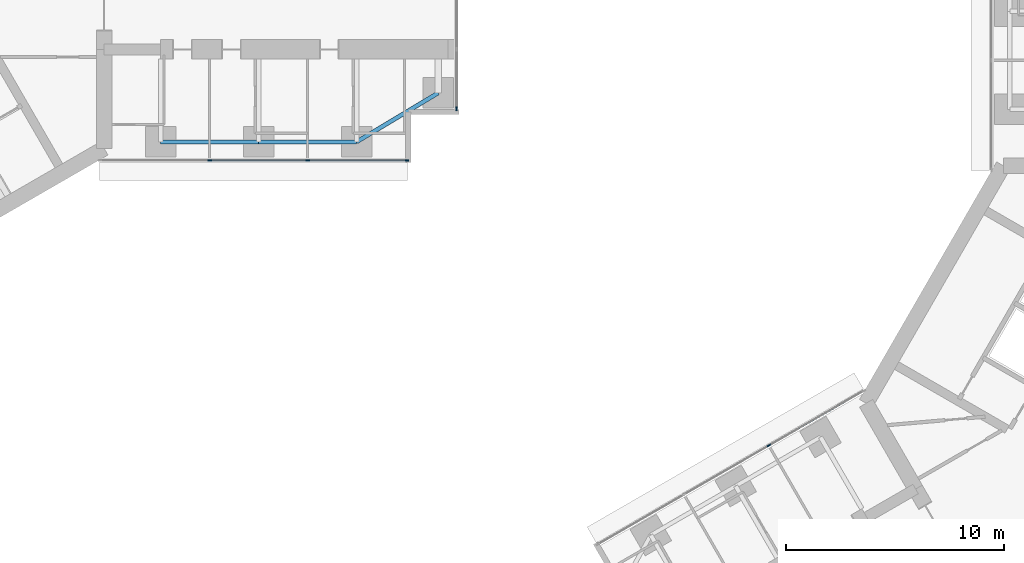
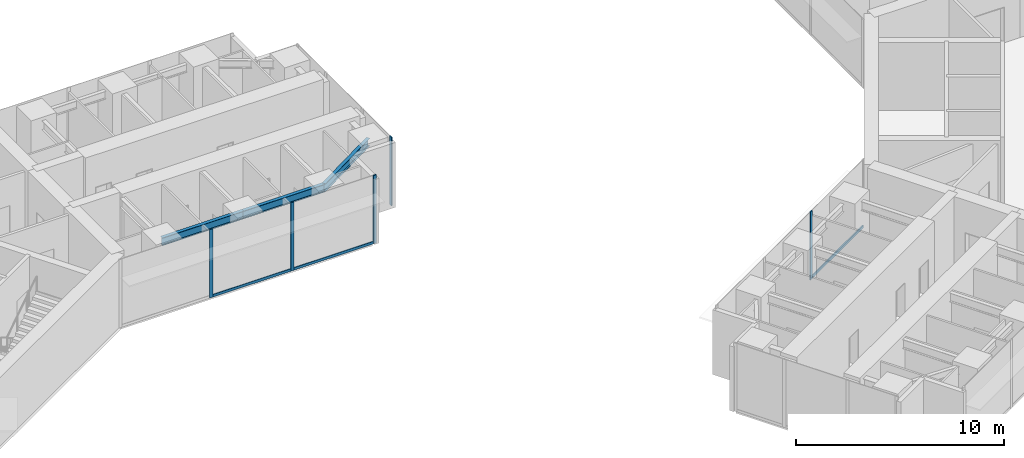
# One storey, part 5 of 25: 8 members, 3 beams, 3 elements without a shape of their own.
"""IFC4 building model written with IfcOpenShell, lengths in metres."""

from ifc_helpers import new_model, si_unit, direction, frame, origin, origin_2d, place, context, subcontext, project, spatial, rectangle, i_section, extrude, material, material_profile, profile_set, type_object, element, aggregate, save


model = new_model("IFC4")

# Units and contexts
model_context = context("Model", 3, precision=1e-05, world=origin(), true_north=direction((0.0, 1.0)))
body_context = subcontext(model_context, "Body", "Model", "MODEL_VIEW")
ifc_project = project(units=[si_unit("LENGTHUNIT", "METRE"), si_unit("AREAUNIT", "SQUARE_METRE"), si_unit("VOLUMEUNIT", "CUBIC_METRE"), si_unit("PLANEANGLEUNIT", "RADIAN"), si_unit("MASSUNIT", "GRAM", prefix="KILO")], contexts=[model_context])

# Site, building, storey
site_placement = place(None, origin())
site = spatial("IfcSite", under=ifc_project, at=site_placement, CompositionType="ELEMENT")
building_placement = place(site_placement, origin())
building = spatial("IfcBuilding", under=site, at=building_placement, Name="Upepo Twin Towers", CompositionType="ELEMENT")
storey_placement = place(building_placement, frame((0.0, 0.0, 84.5)))
storey = spatial("IfcBuildingStorey", under=building, at=storey_placement, Name="L20", CompositionType="ELEMENT", Elevation=84.5)

# Beams
ifc_material_1 = material(Name="Steel S355", Category="steel")
ifc_material_profile_1 = material_profile(ifc_material_1, i_section(OverallWidth=0.1904296875, OverallDepth=0.45703125, WebThickness=0.009033203125, FlangeThickness=0.014404296875, FilletRadius=0.01025390625, at=origin_2d()), Name="UB 457x191x74")
ifc_profile_set_1 = profile_set([ifc_material_profile_1], Name="Steel S355")
beam_type = type_object("IfcBeamType", Name="Beam UB 457x191x74", PredefinedType="BEAM", material=ifc_profile_set_1)
for number, where, z_axis, x_axis, name in (
    (1, (13.5, -6.0, 3.571533203125), (1.0, 0.0, 0.0), (0.0, 1.0, 0.0), "T1 edge beam AR 13.5-18.0"),
    (2, (18.0, -6.0, 3.571533203125), (1.0, 0.0, 0.0), (0.0, 1.0, 0.0), "T1 edge beam AR 18.0-22.5"),
):
    element("IfcBeam", number, at=place(storey_placement, frame(where, z_axis=z_axis, x_axis=x_axis)), inside=storey, type_object=beam_type, Name=name, PredefinedType="BEAM", context=body_context, shape_type="SweptSolid", body=[
        extrude(i_section(OverallWidth=0.1904296875, OverallDepth=0.45703125, WebThickness=0.009033203125, FlangeThickness=0.014404296875, FilletRadius=0.01025390625, at=origin_2d()), origin(), (0.0, 0.0, 1.0), 4.5),
    ])
beam_placement = place(storey_placement, frame((22.5, -6.0, 3.571533203125), z_axis=(0.857492925713, 0.514495755428, 0.0), x_axis=(-0.514495755428, 0.857492925713, 0.0)))
element("IfcBeam", 3, at=beam_placement, inside=storey, type_object=beam_type, Name="T1 nose edge beam AR", PredefinedType="BEAM", context=body_context, shape_type="SweptSolid", body=[
    extrude(i_section(OverallWidth=0.1904296875, OverallDepth=0.45703125, WebThickness=0.009033203125, FlangeThickness=0.014404296875, FilletRadius=0.01025390625, at=origin_2d()), origin(), (0.0, 0.0, 1.0), 4.373291015625),
])

# Curtain wall, members
ifc_material_2 = material(Name="Aluminium and fritted glass", Category="aluminium")
curtain_wall_type = type_object("IfcCurtainWallType", Name="Tower curtain wall TW1, fritted glass", PredefinedType="NOTDEFINED", material=ifc_material_2)
curtain_wall_1_placement = place(storey_placement, origin())
curtain_wall_1 = element("IfcCurtainWall", 4, at=curtain_wall_1_placement, inside=storey, type_object=curtain_wall_type, Name="T1 L20 wing A flank R curtain wall", PredefinedType="NOTDEFINED")
ifc_material_3 = material(Name="Aluminium mullion", Category="aluminium")
ifc_material_profile_2 = material_profile(ifc_material_3, rectangle(XDim=0.06494140625, YDim=0.179931640625, at=origin_2d()), Name="MULLION 65x180")
ifc_profile_set_2 = profile_set([ifc_material_profile_2], Name="Aluminium mullion")
member_type_1 = type_object("IfcMemberType", Name="Mullion 65x180 TW1", PredefinedType="MULLION", material=ifc_profile_set_2)
member_1_placement = place(storey_placement, frame((24.8173828125, -6.85009765625, 0.0), z_axis=(0.0, 0.0, 1.0), x_axis=(0.0, -1.0, 0.0)))
member_1 = element("IfcMember", 5, at=member_1_placement, type_object=member_type_1, Name="T1 L20 wing A flank R curtain wall mullion 1", PredefinedType="MULLION", context=body_context, shape_type="SweptSolid", body=[
    extrude(rectangle(XDim=0.06494140625, YDim=0.179931640625, at=origin_2d()), origin(), (0.0, 0.0, 1.0), 4.0),
])
member_2_placement = place(storey_placement, frame((20.25, -6.85009765625, 0.0), z_axis=(0.0, 0.0, 1.0), x_axis=(0.0, -1.0, 0.0)))
member_2 = element("IfcMember", 6, at=member_2_placement, type_object=member_type_1, Name="T1 L20 wing A flank R curtain wall mullion 2", PredefinedType="MULLION", context=body_context, shape_type="SweptSolid", body=[
    extrude(rectangle(XDim=0.06494140625, YDim=0.179931640625, at=origin_2d()), origin(), (0.0, 0.0, 1.0), 4.0),
])
member_3_placement = place(storey_placement, frame((15.75, -6.85009765625, 0.0), z_axis=(0.0, 0.0, 1.0), x_axis=(0.0, -1.0, 0.0)))
member_3 = element("IfcMember", 7, at=member_3_placement, type_object=member_type_1, Name="T1 L20 wing A flank R curtain wall mullion 3", PredefinedType="MULLION", context=body_context, shape_type="SweptSolid", body=[
    extrude(rectangle(XDim=0.06494140625, YDim=0.179931640625, at=origin_2d()), origin(), (0.0, 0.0, 1.0), 4.0),
])

# Curtain wall, member
curtain_wall_2_placement = place(storey_placement, origin())
curtain_wall_2 = element("IfcCurtainWall", 8, at=curtain_wall_2_placement, inside=storey, type_object=curtain_wall_type, Name="T1 L20 wing A nose curtain wall", PredefinedType="NOTDEFINED")
member_4_placement = place(storey_placement, frame((27.10009765625, -4.467529296875, 0.0), z_axis=(0.0, 0.0, 1.0), x_axis=(-1.0, 0.0, 0.0)))
member_4 = element("IfcMember", 9, at=member_4_placement, type_object=member_type_1, Name="T1 L20 wing A nose curtain wall mullion 1", PredefinedType="MULLION", context=body_context, shape_type="SweptSolid", body=[
    extrude(rectangle(XDim=0.06494140625, YDim=0.179931640625, at=origin_2d()), origin(), (0.0, 0.0, 1.0), 4.0),
])
aggregate(curtain_wall_2, [member_4])

curtain_wall_3_placement = place(storey_placement, origin())
curtain_wall_3 = element("IfcCurtainWall", 10, at=curtain_wall_3_placement, inside=storey, type_object=curtain_wall_type, Name="T2 L20 wing B flank R curtain wall", PredefinedType="NOTDEFINED")
member_5_placement = place(storey_placement, frame((41.43505859375, -19.942626953125, 0.0), z_axis=(0.0, 0.0, 1.0), x_axis=(-0.500000024426, 0.866025389682, 0.0)))
member_5 = element("IfcMember", 11, at=member_5_placement, type_object=member_type_1, Name="T2 L20 wing B flank R curtain wall mullion 3", PredefinedType="MULLION", context=body_context, shape_type="SweptSolid", body=[
    extrude(rectangle(XDim=0.06494140625, YDim=0.179931640625, at=origin_2d()), origin(), (0.0, 0.0, 1.0), 4.0),
])

# Member
ifc_material_4 = material(Name="Aluminium transom", Category="aluminium")
ifc_material_profile_3 = material_profile(ifc_material_4, rectangle(XDim=0.06494140625, YDim=0.14990234375, at=origin_2d()), Name="TRANSOM 65x150")
ifc_profile_set_3 = profile_set([ifc_material_profile_3], Name="Aluminium transom")
member_type_2 = type_object("IfcMemberType", Name="Transom 65x150 TW1", PredefinedType="USERDEFINED", material=ifc_profile_set_3)
member_6_placement = place(storey_placement, frame((24.784912109375, -6.85009765625, 0.074951171875), z_axis=(-1.0, 0.0, 0.0), x_axis=(0.0, -1.0, 0.0)))
member_6 = element("IfcMember", 12, at=member_6_placement, type_object=member_type_2, Name="T1 L20 wing A flank R curtain wall transom 1", ObjectType="TRANSOM", PredefinedType="USERDEFINED", context=body_context, shape_type="SweptSolid", body=[
    extrude(rectangle(XDim=0.06494140625, YDim=0.14990234375, at=origin_2d()), origin(), (0.0, 0.0, 1.0), 4.50244140625),
])

member_7_placement = place(storey_placement, frame((20.217529296875, -6.85009765625, 0.074951171875), z_axis=(-1.0, 0.0, 0.0), x_axis=(0.0, -1.0, 0.0)))
member_7 = element("IfcMember", 13, at=member_7_placement, type_object=member_type_2, Name="T1 L20 wing A flank R curtain wall transom 2", ObjectType="TRANSOM", PredefinedType="USERDEFINED", context=body_context, shape_type="SweptSolid", body=[
    extrude(rectangle(XDim=0.06494140625, YDim=0.14990234375, at=origin_2d()), origin(), (0.0, 0.0, 1.0), 4.43505859375),
])

aggregate(curtain_wall_1, [member_1, member_2, member_3, member_6, member_7])

member_8_placement = place(storey_placement, frame((41.463134765625, -19.926513671875, 0.074951171875), z_axis=(0.866034933967, 0.499983492876, 0.0), x_axis=(-0.499983492876, 0.866034933967, 0.0)))
member_8 = element("IfcMember", 14, at=member_8_placement, type_object=member_type_2, Name="T2 L20 wing B flank R curtain wall transom 3", ObjectType="TRANSOM", PredefinedType="USERDEFINED", context=body_context, shape_type="SweptSolid", body=[
    extrude(rectangle(XDim=0.06494140625, YDim=0.14990234375, at=origin_2d()), origin(), (0.0, 0.0, 1.0), 4.965576171875),
])

aggregate(curtain_wall_3, [member_5, member_8])

save(model, "model.ifc")
